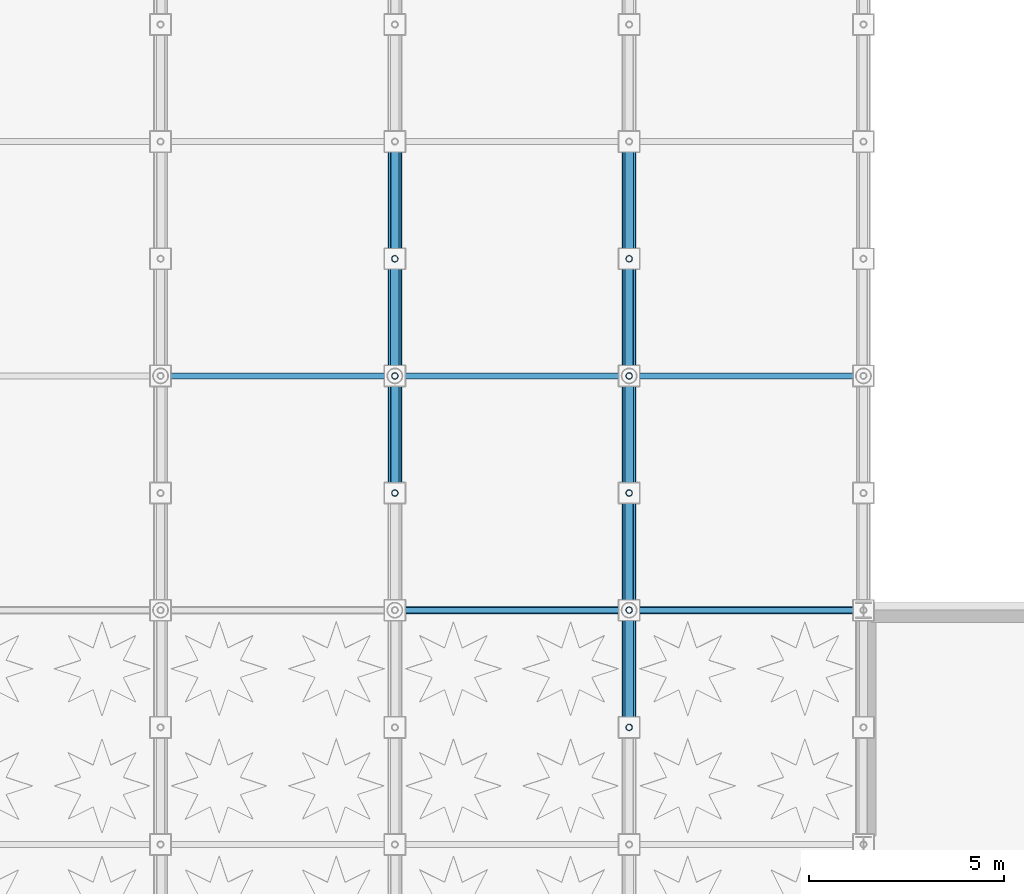
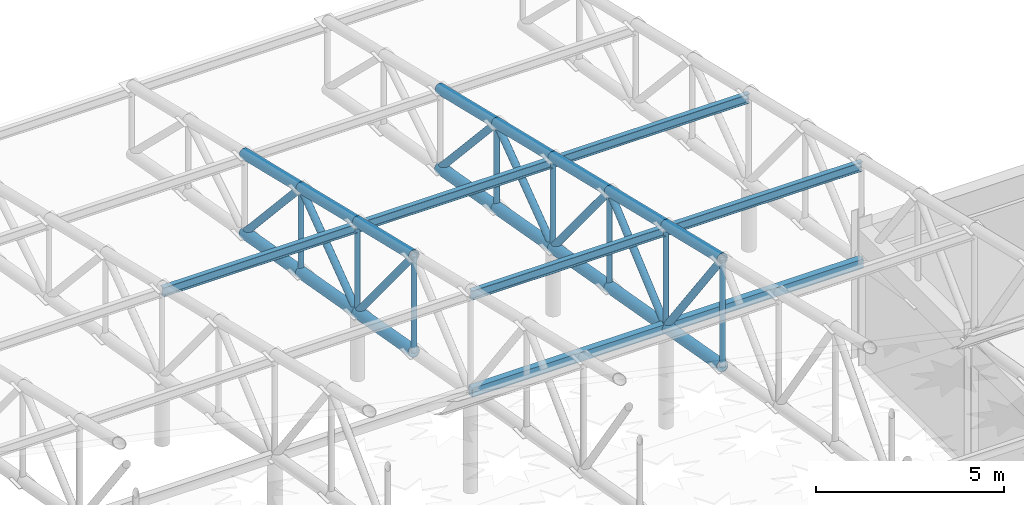
# One storey, part 28 of 123: 34 members, 5 beams.
"""IFC4 building model written with IfcOpenShell, lengths in metres."""

from ifc_helpers import new_model, si_unit, direction, frame, origin, origin_2d, place, context, subcontext, project, spatial, hollow_rectangle, hollow_circle, i_section, extrude, material, material_profile, profile_set, type_object, element, save


model = new_model("IFC4")

# Units and contexts
model_context = context("Model", 3, precision=1e-05, world=origin(), true_north=direction((0.0, 1.0)))
body_context = subcontext(model_context, "Body", "Model", "MODEL_VIEW")
ifc_project = project(units=[si_unit("LENGTHUNIT", "METRE"), si_unit("AREAUNIT", "SQUARE_METRE"), si_unit("VOLUMEUNIT", "CUBIC_METRE"), si_unit("PLANEANGLEUNIT", "RADIAN"), si_unit("MASSUNIT", "GRAM", prefix="KILO"), si_unit("THERMODYNAMICTEMPERATUREUNIT", "KELVIN"), si_unit("POWERUNIT", "WATT")], contexts=[model_context])

# Site, building, storey
site_placement = place(None, origin())
site = spatial("IfcSite", under=ifc_project, at=site_placement, CompositionType="ELEMENT")
building_placement = place(site_placement, origin())
building = spatial("IfcBuilding", under=site, at=building_placement, Name="Phaisarnlok Congress Hotel", CompositionType="ELEMENT")
storey_placement = place(building_placement, frame((0.0, 0.0, 15.0)))
storey = spatial("IfcBuildingStorey", under=building, at=storey_placement, Name="L03", CompositionType="ELEMENT", Elevation=15.0)

# Beams
ifc_material = material(Name="Steel S355", Category="steel")
ifc_material_profile_1 = material_profile(ifc_material, i_section(OverallWidth=0.14990234375, OverallDepth=0.300048828125, WebThickness=0.007080078125, FlangeThickness=0.0107421875, FilletRadius=0.014892578125, at=origin_2d()), Name="IPE 300")
ifc_profile_set_1 = profile_set([ifc_material_profile_1], Name="Steel S355")
beam_type = type_object("IfcBeamType", Name="JS-STL-IPE300", PredefinedType="JOIST", material=ifc_profile_set_1)
for number, where, z_axis, x_axis, name in (
    (1, (78.0, 42.0, 4.902099609375), (1.0, 0.0, 0.0), (0.0, 1.0, 0.0), "South wing roof purlin"),
    (2, (84.0, 42.0, 4.902099609375), (1.0, 0.0, 0.0), (0.0, 1.0, 0.0), "South wing roof purlin"),
    (3, (84.0, 36.0, 6.334228515625), (1.0, 0.0, 0.0), (0.0, 1.0, 0.0), "South wing roof purlin"),
    (4, (90.0, 42.0, 4.902099609375), (1.0, 0.0, 0.0), (0.0, 1.0, 0.0), "South wing roof purlin"),
    (5, (90.0, 36.0, 6.334228515625), (1.0, 0.0, 0.0), (0.0, 1.0, 0.0), "South wing roof purlin"),
):
    element("IfcBeam", number, at=place(storey_placement, frame(where, z_axis=z_axis, x_axis=x_axis)), inside=storey, type_object=beam_type, Name=name, PredefinedType="JOIST", context=body_context, shape_type="SweptSolid", body=[
        extrude(i_section(OverallWidth=0.14990234375, OverallDepth=0.300048828125, WebThickness=0.007080078125, FlangeThickness=0.0107421875, FilletRadius=0.014892578125, at=origin_2d()), origin(), (0.0, 0.0, 1.0), 6.0),
    ])

# Members
ifc_material_profile_2 = material_profile(ifc_material, hollow_circle(Radius=0.084228515625, WallThickness=0.010009765625, at=origin_2d()), Name="CHS 168.3x10")
ifc_profile_set_2 = profile_set([ifc_material_profile_2], Name="Steel S355")
member_type_1 = type_object("IfcMemberType", Name="MEM-BRC-CHS168", PredefinedType="BRACE", material=ifc_profile_set_2)
member_1_placement = place(storey_placement, frame((84.0, 45.0, 1.60009765625), z_axis=(0.0, 0.0, 1.0), x_axis=(1.0, 0.0, 0.0)))
element("IfcMember", 6, at=member_1_placement, inside=storey, type_object=member_type_1, Name="South wing roof truss vertical web", PredefinedType="BRACE", context=body_context, shape_type="SweptSolid", body=[
    extrude(hollow_circle(Radius=0.084228515625, WallThickness=0.010009765625, at=origin_2d()), origin(), (0.0, 0.0, 1.0), 2.748046875),
])
member_2_placement = place(storey_placement, frame((84.0, 42.0, 2.13330078125), z_axis=(0.0, 0.0, 1.0), x_axis=(1.0, 0.0, 0.0)))
element("IfcMember", 7, at=member_2_placement, inside=storey, type_object=member_type_1, Name="South wing roof truss vertical web", PredefinedType="BRACE", context=body_context, shape_type="SweptSolid", body=[
    extrude(hollow_circle(Radius=0.084228515625, WallThickness=0.010009765625, at=origin_2d()), origin(), (0.0, 0.0, 1.0), 2.930908203125),
])
member_3_placement = place(storey_placement, frame((84.0, 39.0, 2.666748046875), z_axis=(0.0, 0.0, 1.0), x_axis=(1.0, 0.0, 0.0)))
element("IfcMember", 8, at=member_3_placement, inside=storey, type_object=member_type_1, Name="South wing roof truss vertical web", PredefinedType="BRACE", context=body_context, shape_type="SweptSolid", body=[
    extrude(hollow_circle(Radius=0.084228515625, WallThickness=0.010009765625, at=origin_2d()), origin(), (0.0, 0.0, 1.0), 3.113525390625),
])
member_4_placement = place(storey_placement, frame((90.0, 45.0, 1.60009765625), z_axis=(0.0, 0.0, 1.0), x_axis=(1.0, 0.0, 0.0)))
element("IfcMember", 9, at=member_4_placement, inside=storey, type_object=member_type_1, Name="South wing roof truss vertical web", PredefinedType="BRACE", context=body_context, shape_type="SweptSolid", body=[
    extrude(hollow_circle(Radius=0.084228515625, WallThickness=0.010009765625, at=origin_2d()), origin(), (0.0, 0.0, 1.0), 2.748046875),
])
member_5_placement = place(storey_placement, frame((90.0, 42.0, 2.13330078125), z_axis=(0.0, 0.0, 1.0), x_axis=(1.0, 0.0, 0.0)))
element("IfcMember", 10, at=member_5_placement, inside=storey, type_object=member_type_1, Name="South wing roof truss vertical web", PredefinedType="BRACE", context=body_context, shape_type="SweptSolid", body=[
    extrude(hollow_circle(Radius=0.084228515625, WallThickness=0.010009765625, at=origin_2d()), origin(), (0.0, 0.0, 1.0), 2.930908203125),
])
member_6_placement = place(storey_placement, frame((90.0, 39.0, 2.666748046875), z_axis=(0.0, 0.0, 1.0), x_axis=(1.0, 0.0, 0.0)))
element("IfcMember", 11, at=member_6_placement, inside=storey, type_object=member_type_1, Name="South wing roof truss vertical web", PredefinedType="BRACE", context=body_context, shape_type="SweptSolid", body=[
    extrude(hollow_circle(Radius=0.084228515625, WallThickness=0.010009765625, at=origin_2d()), origin(), (0.0, 0.0, 1.0), 3.113525390625),
])
member_7_placement = place(storey_placement, frame((90.0, 36.0, 3.199951171875), z_axis=(0.0, 0.0, 1.0), x_axis=(1.0, 0.0, 0.0)))
element("IfcMember", 12, at=member_7_placement, inside=storey, type_object=member_type_1, Name="South wing roof truss vertical web", PredefinedType="BRACE", context=body_context, shape_type="SweptSolid", body=[
    extrude(hollow_circle(Radius=0.084228515625, WallThickness=0.010009765625, at=origin_2d()), origin(), (0.0, 0.0, 1.0), 3.29638671875),
])
member_8_placement = place(storey_placement, frame((90.0, 33.0, 3.7333984375), z_axis=(0.0, 0.0, 1.0), x_axis=(1.0, 0.0, 0.0)))
element("IfcMember", 13, at=member_8_placement, inside=storey, type_object=member_type_1, Name="South wing roof truss vertical web", PredefinedType="BRACE", context=body_context, shape_type="SweptSolid", body=[
    extrude(hollow_circle(Radius=0.084228515625, WallThickness=0.010009765625, at=origin_2d()), origin(), (0.0, 0.0, 1.0), 3.47900390625),
])
ifc_material_profile_3 = material_profile(ifc_material, hollow_circle(Radius=0.109619140625, WallThickness=0.012451171875, at=origin_2d()), Name="CHS 219.1x12.5")
ifc_profile_set_3 = profile_set([ifc_material_profile_3], Name="Steel S355")
member_type_2 = type_object("IfcMemberType", Name="MEM-BRC-CHS219", PredefinedType="BRACE", material=ifc_profile_set_3)
member_9_placement = place(storey_placement, frame((84.0, 48.0, 1.066650390625), z_axis=(0.0, -0.674741853636, 0.738053813046), x_axis=(1.0, 0.0, 0.0)))
element("IfcMember", 14, at=member_9_placement, inside=storey, type_object=member_type_2, Name="South wing roof truss diagonal brace", PredefinedType="BRACE", context=body_context, shape_type="SweptSolid", body=[
    extrude(hollow_circle(Radius=0.109619140625, WallThickness=0.012451171875, at=origin_2d()), origin(), (0.0, 0.0, 1.0), 4.446044921875),
])
member_10_placement = place(storey_placement, frame((84.0, 42.0, 2.13330078125), z_axis=(0.0, 0.804502572665, 0.593949164975), x_axis=(-1.0, 0.0, 0.0)))
element("IfcMember", 15, at=member_10_placement, inside=storey, type_object=member_type_2, Name="South wing roof truss diagonal brace", PredefinedType="BRACE", context=body_context, shape_type="SweptSolid", body=[
    extrude(hollow_circle(Radius=0.109619140625, WallThickness=0.012451171875, at=origin_2d()), origin(), (0.0, 0.0, 1.0), 3.72900390625),
])
member_11_placement = place(storey_placement, frame((84.0, 42.0, 2.13330078125), z_axis=(0.0, -0.635279491177, 0.772282311133), x_axis=(1.0, 0.0, 0.0)))
element("IfcMember", 16, at=member_11_placement, inside=storey, type_object=member_type_2, Name="South wing roof truss diagonal brace", PredefinedType="BRACE", context=body_context, shape_type="SweptSolid", body=[
    extrude(hollow_circle(Radius=0.109619140625, WallThickness=0.012451171875, at=origin_2d()), origin(), (0.0, 0.0, 1.0), 4.722412109375),
])
member_12_placement = place(storey_placement, frame((90.0, 48.0, 1.066650390625), z_axis=(0.0, -0.674741853636, 0.738053813046), x_axis=(1.0, 0.0, 0.0)))
element("IfcMember", 17, at=member_12_placement, inside=storey, type_object=member_type_2, Name="South wing roof truss diagonal brace", PredefinedType="BRACE", context=body_context, shape_type="SweptSolid", body=[
    extrude(hollow_circle(Radius=0.109619140625, WallThickness=0.012451171875, at=origin_2d()), origin(), (0.0, 0.0, 1.0), 4.446044921875),
])
member_13_placement = place(storey_placement, frame((90.0, 42.0, 2.13330078125), z_axis=(0.0, 0.804502572665, 0.593949164975), x_axis=(-1.0, 0.0, 0.0)))
element("IfcMember", 18, at=member_13_placement, inside=storey, type_object=member_type_2, Name="South wing roof truss diagonal brace", PredefinedType="BRACE", context=body_context, shape_type="SweptSolid", body=[
    extrude(hollow_circle(Radius=0.109619140625, WallThickness=0.012451171875, at=origin_2d()), origin(), (0.0, 0.0, 1.0), 3.72900390625),
])
member_14_placement = place(storey_placement, frame((90.0, 42.0, 2.13330078125), z_axis=(0.0, -0.635279491177, 0.772282311133), x_axis=(1.0, 0.0, 0.0)))
element("IfcMember", 19, at=member_14_placement, inside=storey, type_object=member_type_2, Name="South wing roof truss diagonal brace", PredefinedType="BRACE", context=body_context, shape_type="SweptSolid", body=[
    extrude(hollow_circle(Radius=0.109619140625, WallThickness=0.012451171875, at=origin_2d()), origin(), (0.0, 0.0, 1.0), 4.722412109375),
])
member_15_placement = place(storey_placement, frame((90.0, 36.0, 3.199951171875), z_axis=(0.0, 0.758144932989, 0.652086083721), x_axis=(-1.0, 0.0, 0.0)))
element("IfcMember", 20, at=member_15_placement, inside=storey, type_object=member_type_2, Name="South wing roof truss diagonal brace", PredefinedType="BRACE", context=body_context, shape_type="SweptSolid", body=[
    extrude(hollow_circle(Radius=0.109619140625, WallThickness=0.012451171875, at=origin_2d()), origin(), (0.0, 0.0, 1.0), 3.95703125),
])
member_16_placement = place(storey_placement, frame((90.0, 36.0, 3.199951171875), z_axis=(0.0, -0.598806398303, 0.800893811533), x_axis=(1.0, 0.0, 0.0)))
element("IfcMember", 21, at=member_16_placement, inside=storey, type_object=member_type_2, Name="South wing roof truss diagonal brace", PredefinedType="BRACE", context=body_context, shape_type="SweptSolid", body=[
    extrude(hollow_circle(Radius=0.109619140625, WallThickness=0.012451171875, at=origin_2d()), origin(), (0.0, 0.0, 1.0), 5.010009765625),
])
ifc_material_profile_4 = material_profile(ifc_material, hollow_circle(Radius=0.161865234375, WallThickness=0.01611328125, at=origin_2d()), Name="CHS 323.9x16")
ifc_profile_set_4 = profile_set([ifc_material_profile_4], Name="Steel S355")
member_type_3 = type_object("IfcMemberType", Name="MEM-CHD-CHS324", PredefinedType="CHORD", material=ifc_profile_set_4)
for number, where, z_axis, x_axis, name in (
    (22, (84.0, 48.0, 3.632080078125), (0.0, -0.972676115692, 0.232166263617), (1.0, 0.0, 0.0), "South wing roof truss top chord"),
    (23, (84.0, 45.0, 4.34814453125), (0.0, -0.972676115692, 0.232166263617), (1.0, 0.0, 0.0), "South wing roof truss top chord"),
    (24, (84.0, 42.0, 5.064208984375), (0.0, -0.972676115692, 0.232166263617), (1.0, 0.0, 0.0), "South wing roof truss top chord"),
    (25, (90.0, 48.0, 3.632080078125), (0.0, -0.972676115692, 0.232166263617), (1.0, 0.0, 0.0), "South wing roof truss top chord"),
    (26, (90.0, 45.0, 4.34814453125), (0.0, -0.972676115692, 0.232166263617), (1.0, 0.0, 0.0), "South wing roof truss top chord"),
    (27, (90.0, 42.0, 5.064208984375), (0.0, -0.972676115692, 0.232166263617), (1.0, 0.0, 0.0), "South wing roof truss top chord"),
    (28, (90.0, 39.0, 5.7802734375), (0.0, -0.972676115692, 0.232166263617), (1.0, 0.0, 0.0), "South wing roof truss top chord"),
    (29, (90.0, 36.0, 6.496337890625), (0.0, -0.972676115692, 0.232166263617), (1.0, 0.0, 0.0), "South wing roof truss top chord"),
):
    element("IfcMember", number, at=place(storey_placement, frame(where, z_axis=z_axis, x_axis=x_axis)), inside=storey, type_object=member_type_3, Name=name, PredefinedType="CHORD", context=body_context, shape_type="SweptSolid", body=[
        extrude(hollow_circle(Radius=0.161865234375, WallThickness=0.01611328125, at=origin_2d()), origin(), (0.0, 0.0, 1.0), 3.084228515625),
    ])
ifc_material_profile_5 = material_profile(ifc_material, hollow_circle(Radius=0.177734375, WallThickness=0.02001953125, at=origin_2d()), Name="CHS 355.6x20")
ifc_profile_set_5 = profile_set([ifc_material_profile_5], Name="Steel S355")
member_type_4 = type_object("IfcMemberType", Name="MEM-CHD-CHS356", PredefinedType="CHORD", material=ifc_profile_set_5)
for number, where, z_axis, x_axis, name in (
    (30, (84.0, 48.0, 1.066650390625), (0.0, -0.984556063496, 0.175069579976), (1.0, 0.0, 0.0), "South wing roof truss bottom chord"),
    (31, (84.0, 45.0, 1.60009765625), (0.0, -0.984569871158, 0.174991910694), (1.0, 0.0, 0.0), "South wing roof truss bottom chord"),
    (32, (84.0, 42.0, 2.13330078125), (0.0, -0.984556063496, 0.175069579976), (1.0, 0.0, 0.0), "South wing roof truss bottom chord"),
    (33, (90.0, 48.0, 1.066650390625), (0.0, -0.984556063496, 0.175069579976), (1.0, 0.0, 0.0), "South wing roof truss bottom chord"),
    (34, (90.0, 45.0, 1.60009765625), (0.0, -0.984569871158, 0.174991910694), (1.0, 0.0, 0.0), "South wing roof truss bottom chord"),
    (35, (90.0, 42.0, 2.13330078125), (0.0, -0.984556063496, 0.175069579976), (1.0, 0.0, 0.0), "South wing roof truss bottom chord"),
    (36, (90.0, 39.0, 2.666748046875), (0.0, -0.984569871158, 0.174991910694), (1.0, 0.0, 0.0), "South wing roof truss bottom chord"),
    (37, (90.0, 36.0, 3.199951171875), (0.0, -0.984556063496, 0.175069579976), (1.0, 0.0, 0.0), "South wing roof truss bottom chord"),
):
    element("IfcMember", number, at=place(storey_placement, frame(where, z_axis=z_axis, x_axis=x_axis)), inside=storey, type_object=member_type_4, Name=name, PredefinedType="CHORD", context=body_context, shape_type="SweptSolid", body=[
        extrude(hollow_circle(Radius=0.177734375, WallThickness=0.02001953125, at=origin_2d()), origin(), (0.0, 0.0, 1.0), 3.047119140625),
    ])
ifc_material_profile_6 = material_profile(ifc_material, hollow_rectangle(XDim=0.199951171875, YDim=0.300048828125, WallThickness=0.012451171875, at=origin_2d()), Name="RHS 300x200x12.5")
ifc_profile_set_6 = profile_set([ifc_material_profile_6], Name="Steel S355")
member_type_5 = type_object("IfcMemberType", Name="MEM-STR-RHS300", PredefinedType="STRUT", material=ifc_profile_set_6)
for number, where, z_axis, x_axis, name in (
    (38, (84.0, 36.0, 3.199951171875), (1.0, 0.0, 0.0), (0.0, 1.0, 0.0), "Wing truss bottom-chord lateral strut ST-M2"),
    (39, (90.0, 36.0, 3.199951171875), (1.0, 0.0, 0.0), (0.0, 1.0, 0.0), "Wing truss bottom-chord lateral strut ST-M2"),
):
    element("IfcMember", number, at=place(storey_placement, frame(where, z_axis=z_axis, x_axis=x_axis)), inside=storey, type_object=member_type_5, Name=name, PredefinedType="STRUT", context=body_context, shape_type="SweptSolid", body=[
        extrude(hollow_rectangle(XDim=0.199951171875, YDim=0.300048828125, WallThickness=0.012451171875, at=origin_2d()), origin(), (0.0, 0.0, 1.0), 6.0),
    ])

save(model, "model.ifc")
